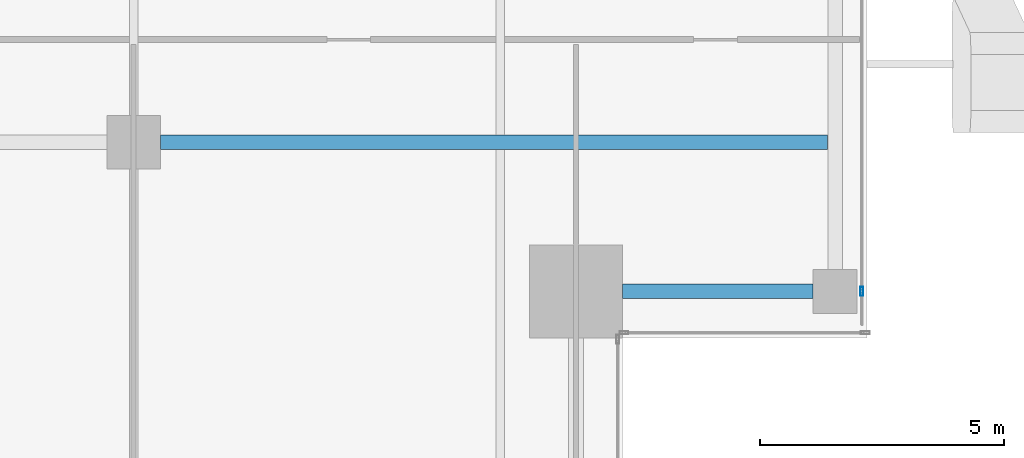
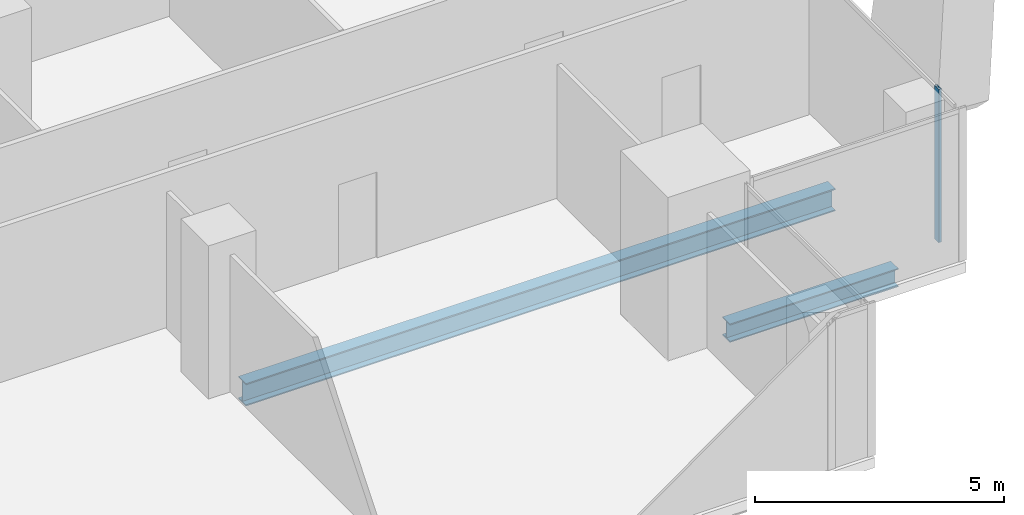
# One storey, part 10 of 36: 2 beams, 1 member, 1 element without a shape of its own.
"""IFC4 building model written with IfcOpenShell, lengths in metres."""

from ifc_helpers import new_model, si_unit, direction, frame, origin, origin_2d, place, context, subcontext, project, spatial, hollow_rectangle, i_section, extrude, source, transform, mapped, material, material_profile, profile_set, type_object, element, aggregate, save


model = new_model("IFC4")

# Units and contexts
model_context = context("Model", 3, precision=1e-05, world=origin(), true_north=direction((0.0, 1.0)))
body_context = subcontext(model_context, "Body", "Model", "MODEL_VIEW")
ifc_project = project(units=[si_unit("LENGTHUNIT", "METRE"), si_unit("AREAUNIT", "SQUARE_METRE"), si_unit("VOLUMEUNIT", "CUBIC_METRE"), si_unit("PLANEANGLEUNIT", "RADIAN"), si_unit("MASSUNIT", "GRAM", prefix="KILO")], contexts=[model_context])

# Site, building, storey
site_placement = place(None, origin())
site = spatial("IfcSite", under=ifc_project, at=site_placement, CompositionType="ELEMENT")
building_placement = place(site_placement, origin())
building = spatial("IfcBuilding", under=site, at=building_placement, Name="Khomas Fold Tower", CompositionType="ELEMENT")
storey_placement = place(building_placement, frame((0.0, 0.0, 238.199951171875)))
storey = spatial("IfcBuildingStorey", under=building, at=storey_placement, Name="L53", CompositionType="ELEMENT", Elevation=238.199951171875)

# Beams
ifc_material_1 = material(Name="Steel S355", Category="steel")
ifc_material_profile_1 = material_profile(ifc_material_1, i_section(OverallWidth=0.300048828125, OverallDepth=0.449951171875, WebThickness=0.013916015625, FlangeThickness=0.02587890625, at=origin_2d()), Name="HE 450 B")
ifc_profile_set_1 = profile_set([ifc_material_profile_1], Name="Steel S355")
beam_type_1 = type_object("IfcBeamType", Name="HE 450 B spandrel SB4", PredefinedType="SPANDREL", material=ifc_profile_set_1)
shared_shape_1 = source(origin(), body_context, "Body", "SweptSolid", [
    extrude(i_section(OverallWidth=0.300048828125, OverallDepth=0.449951171875, WebThickness=0.013916015625, FlangeThickness=0.02587890625, at=origin_2d()), origin(), (0.0, 0.0, 1.0), 3.89990234375),
])
beam_1_placement = place(storey_placement, frame((44.5, 10.449951171875, -0.474853515625), z_axis=(1.0, 0.0, 0.0), x_axis=(0.0, 1.0, 0.0)))
element("IfcBeam", 1, at=beam_1_placement, inside=storey, type_object=beam_type_1, Name="SB4", PredefinedType="SPANDREL", context=body_context, shape_type="MappedRepresentation", body=[
    mapped(shared_shape_1, transform((0.0, 0.0, 0.0))),
])
ifc_material_2 = material(Name="Steel S355", Category="steel")
ifc_material_profile_2 = material_profile(ifc_material_2, i_section(OverallWidth=0.300048828125, OverallDepth=0.550048828125, WebThickness=0.014892578125, FlangeThickness=0.029052734375, at=origin_2d()), Name="HE 550 B")
ifc_profile_set_2 = profile_set([ifc_material_profile_2], Name="Steel S355")
beam_type_2 = type_object("IfcBeamType", Name="HE 550 B beam GB4", PredefinedType="BEAM", material=ifc_profile_set_2)
shared_shape_2 = source(origin(), body_context, "Body", "SweptSolid", [
    extrude(i_section(OverallWidth=0.300048828125, OverallDepth=0.550048828125, WebThickness=0.014892578125, FlangeThickness=0.029052734375, at=origin_2d()), origin(), (0.0, 0.0, 1.0), 13.64990234375),
])
beam_2_placement = place(storey_placement, frame((35.050048828125, 13.5, -0.52490234375), z_axis=(1.0, 0.0, 0.0), x_axis=(0.0, 1.0, 0.0)))
element("IfcBeam", 2, at=beam_2_placement, inside=storey, type_object=beam_type_2, Name="GB4", PredefinedType="BEAM", context=body_context, shape_type="MappedRepresentation", body=[
    mapped(shared_shape_2, transform((0.0, 0.0, 0.0))),
])

# Curtain wall, member
ifc_material_3 = material(Name="Aluminium framed double glazing", Category="aluminium")
curtain_wall_type = type_object("IfcCurtainWallType", Name="SK-Unitised clear-glass wall, office floors CW2", PredefinedType="NOTDEFINED", material=ifc_material_3)
curtain_wall_placement = place(storey_placement, origin())
curtain_wall = element("IfcCurtainWall", 3, at=curtain_wall_placement, inside=storey, type_object=curtain_wall_type, Name="CW2 run L53 03-0", PredefinedType="NOTDEFINED")
ifc_material_4 = material(Name="Aluminium", Category="aluminium")
ifc_material_profile_3 = material_profile(ifc_material_4, hollow_rectangle(XDim=0.06005859375, YDim=0.179931640625, WallThickness=0.00390625, at=origin_2d()), Name="SK-Unitised clear-glass wall, office floors mullion CW2-M")
ifc_profile_set_3 = profile_set([ifc_material_profile_3], Name="Aluminium")
member_type = type_object("IfcMemberType", Name="SK-Unitised clear-glass wall, office floors mullion CW2-M", PredefinedType="MULLION", material=ifc_profile_set_3)
shared_shape_3 = source(origin(), body_context, "Body", "SweptSolid", [
    extrude(hollow_rectangle(XDim=0.06005859375, YDim=0.179931640625, WallThickness=0.00390625, at=origin_2d()), origin(), (0.0, 0.0, 1.0), 3.75),
])
member_placement = place(storey_placement, frame((49.39990234375, 10.449951171875, 0.0), z_axis=(0.0, 0.0, 1.0), x_axis=(-1.0, 0.0, 0.0)))
member = element("IfcMember", 4, at=member_placement, type_object=member_type, Name="CW2 mullion 2", PredefinedType="MULLION", context=body_context, shape_type="MappedRepresentation", body=[
    mapped(shared_shape_3, transform((0.0, 0.0, 0.0))),
])
aggregate(curtain_wall, [member])

save(model, "model.ifc")
